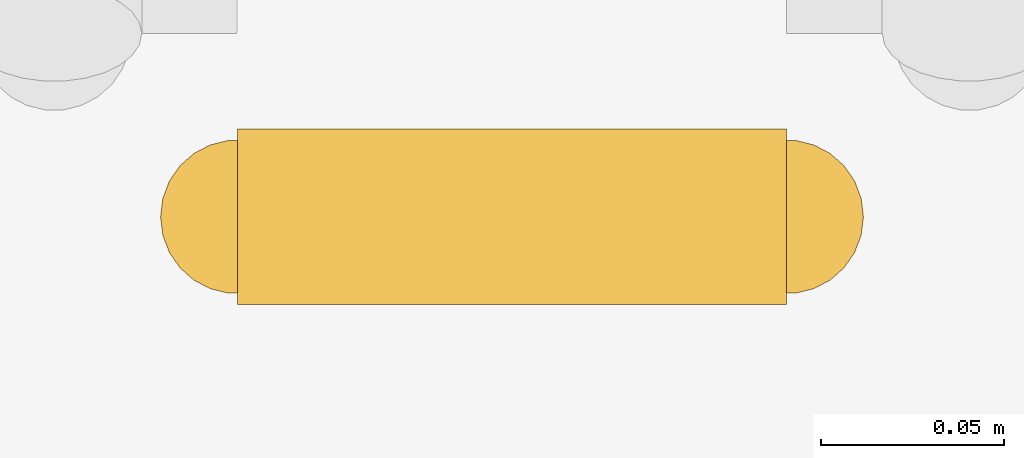
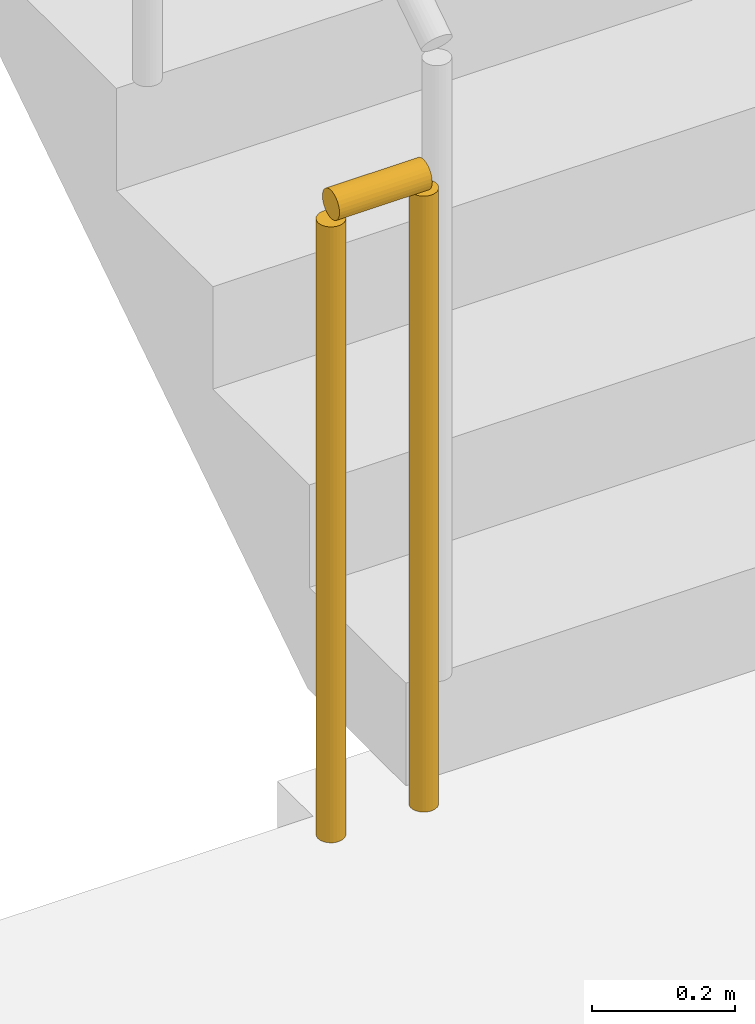
# One storey, part 14 of 19: 1 railing.
"""IFC4 building model written with IfcOpenShell, lengths in metres."""

from ifc_helpers import new_model, si_unit, direction, frame, origin, origin_2d, place, context, subcontext, project, spatial, circle, extrude, material, type_object, element, save


model = new_model("IFC4")

# Units and contexts
model_context = context("Model", 3, precision=1e-05, world=origin(), true_north=direction((0.0, 1.0)))
body_context = subcontext(model_context, "Body", "Model", "MODEL_VIEW")
ifc_project = project(units=[si_unit("LENGTHUNIT", "METRE"), si_unit("AREAUNIT", "SQUARE_METRE"), si_unit("VOLUMEUNIT", "CUBIC_METRE"), si_unit("PLANEANGLEUNIT", "RADIAN"), si_unit("MASSUNIT", "GRAM", prefix="KILO")], contexts=[model_context])

# Site, building, storey
site_placement = place(None, origin())
site = spatial("IfcSite", under=ifc_project, at=site_placement, CompositionType="ELEMENT")
building_placement = place(site_placement, origin())
building = spatial("IfcBuilding", under=site, at=building_placement, Name="Saffron Iwan Residences", CompositionType="ELEMENT")
storey_placement = place(building_placement, frame((0.0, 0.0, 160.5)))
storey = spatial("IfcBuildingStorey", under=building, at=storey_placement, Name="L42", CompositionType="ELEMENT", Elevation=160.5)

# Railing
ifc_material = material(Name="Steel S355", Category="steel")
railing_type = type_object("IfcRailingType", Name="Stair guard 1100", PredefinedType="GUARDRAIL", material=ifc_material)
railing_placement = place(storey_placement, frame((31.25, 67.800048828125, 0.0)))
element("IfcRailing", 1, at=railing_placement, inside=storey, type_object=railing_type, Name="L42 ST-W stair guard 2", PredefinedType="GUARDRAIL", context=body_context, shape_type="SweptSolid", body=[
    extrude(circle(Radius=0.02392578125, at=origin_2d()), frame((0.0, 0.0, 1.076171875), z_axis=(-1.0, 0.0, 0.0), x_axis=(0.0, -1.0, 0.0)), (0.0, 0.0, 1.0), 0.14990234375),
    extrude(circle(Radius=0.02099609375, at=origin_2d()), origin(), (0.0, 0.0, 1.0), 1.052001953125),
    extrude(circle(Radius=0.02099609375, at=origin_2d()), frame((-0.14990234375, 0.0, 0.0)), (0.0, 0.0, 1.0), 1.052001953125),
])

save(model, "model.ifc")
